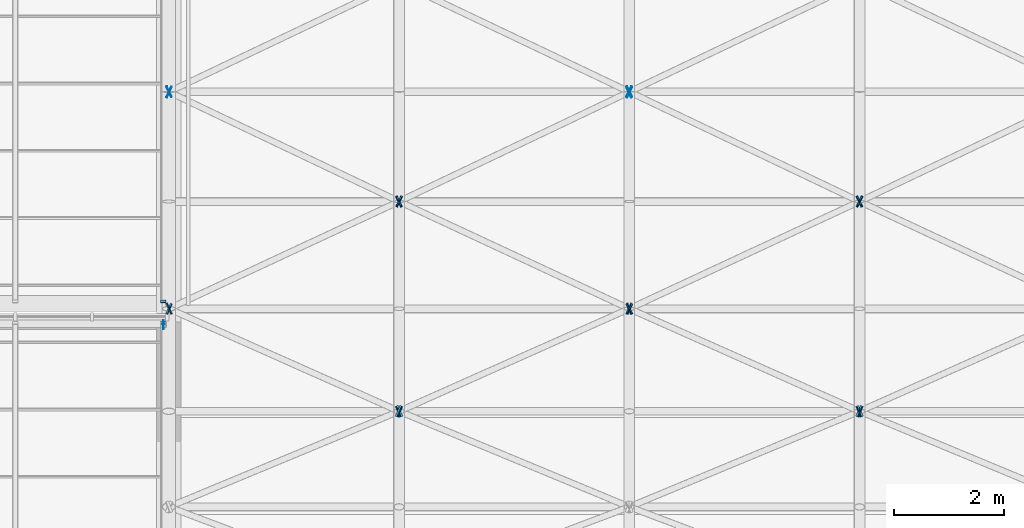
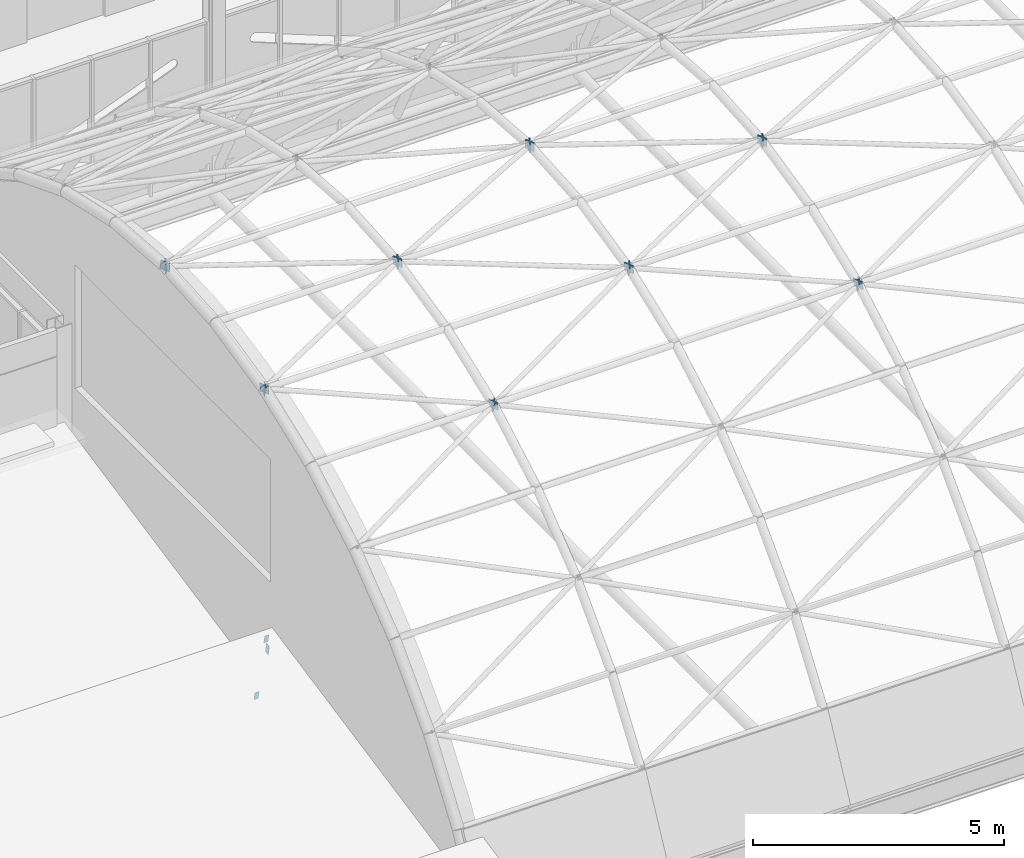
# One storey, part 106 of 121: 31 discrete accessories.
"""IFC4 building model written with IfcOpenShell, lengths in metres."""

from ifc_helpers import new_model, si_unit, direction, frame, origin, origin_2d, place, context, subcontext, project, spatial, rectangle, extrude, material, material_profile, profile_set, type_object, element, save


model = new_model("IFC4")

# Units and contexts
model_context = context("Model", 3, precision=1e-05, world=origin(), true_north=direction((0.0, 1.0)))
body_context = subcontext(model_context, "Body", "Model", "MODEL_VIEW")
ifc_project = project(units=[si_unit("LENGTHUNIT", "METRE"), si_unit("AREAUNIT", "SQUARE_METRE"), si_unit("VOLUMEUNIT", "CUBIC_METRE"), si_unit("PLANEANGLEUNIT", "RADIAN"), si_unit("MASSUNIT", "GRAM", prefix="KILO")], contexts=[model_context])

# Site, building, storey
site_placement = place(None, origin())
site = spatial("IfcSite", under=ifc_project, at=site_placement, CompositionType="ELEMENT")
building_placement = place(site_placement, origin())
building = spatial("IfcBuilding", under=site, at=building_placement, Name="Ardhachandra Cancer Care Centre", CompositionType="ELEMENT")
storey_placement = place(building_placement, frame((0.0, 0.0, 9.0)))
storey = spatial("IfcBuildingStorey", under=building, at=storey_placement, Name="L02", CompositionType="ELEMENT", Elevation=9.0)

# Discrete accessories
ifc_material_1 = material(Name="Steel E250 (IS 2062)", Category="steel")
ifc_material_profile_1 = material_profile(ifc_material_1, rectangle(XDim=0.21435546875, YDim=0.21435546875, at=origin_2d()), Name="PL 214x214x12")
ifc_profile_set_1 = profile_set([ifc_material_profile_1], Name="Steel E250 (IS 2062)")
discrete_accessory_type_1 = type_object("IfcDiscreteAccessoryType", Name="Diagonal end plate 214 x 214 x 12", PredefinedType="BRACKET", material=ifc_profile_set_1)
discrete_accessory_1_placement = place(storey_placement, frame((48.60009765625, 61.37353515625, 7.093994140625), z_axis=(-0.909322885136, -0.363729154054, -0.202071752252), x_axis=(0.371390676354, -0.928476690885, 0.0)))
element("IfcDiscreteAccessory", 1, at=discrete_accessory_1_placement, inside=storey, type_object=discrete_accessory_type_1, Name="Diagonal end plate Hall shell diagonal 00-04 2", PredefinedType="BRACKET", context=body_context, shape_type="SweptSolid", body=[
    extrude(rectangle(XDim=0.21435546875, YDim=0.21435546875, at=origin_2d()), origin(), (0.0, 0.0, 1.0), 0.011962890625),
])
for number, where, z_axis, x_axis, name in (
    (2, (48.60009765625, 61.37353515625, 7.093994140625), (-0.901986558051, 0.400882914689, 0.160353165876), (-0.406138466053, -0.91381154862, 0.0), "Diagonal end plate Hall shell diagonal 01-05 1"),
    (3, (44.39990234375, 63.244384765625, 7.814208984375), (0.904716823274, -0.4020963659, -0.140733728065), (0.406138466053, 0.91381154862, 0.0), "Diagonal end plate Hall shell diagonal 01-05 2"),
    (4, (44.39990234375, 63.244384765625, 7.814208984375), (0.901624387163, 0.420758047343, 0.100180487463), (-0.422885465331, 0.906183139995, 0.0), "Diagonal end plate Hall shell diagonal 00-06 1"),
    (5, (48.60009765625, 65.20068359375, 8.252685546875), (-0.903257601642, -0.421520214099, -0.08028956459), (0.422885465331, -0.906183139995, 0.0), "Diagonal end plate Hall shell diagonal 00-06 2"),
    (6, (48.60009765625, 65.20068359375, 8.252685546875), (-0.905449091159, 0.422542909207, 0.040242181829), (-0.422885465331, -0.906183139995, 0.0), "Diagonal end plate Hall shell diagonal 01-07 1"),
    (7, (44.39990234375, 67.199951171875, 8.39990234375), (0.905999460427, -0.422799748199, -0.020133321343), (0.422885465331, 0.906183139995, 0.0), "Diagonal end plate Hall shell diagonal 01-07 2"),
    (8, (44.39990234375, 67.199951171875, 8.39990234375), (0.905999460427, 0.422799748199, -0.020133321343), (-0.422885465331, 0.906183139995, 0.0), "Diagonal end plate Hall shell diagonal 00-08 1"),
):
    element("IfcDiscreteAccessory", number, at=place(storey_placement, frame(where, z_axis=z_axis, x_axis=x_axis)), inside=storey, type_object=discrete_accessory_type_1, Name=name, PredefinedType="BRACKET", context=body_context, shape_type="SweptSolid", body=[
        extrude(rectangle(XDim=0.21435546875, YDim=0.21435546875, at=origin_2d()), origin(), (0.0, 0.0, 1.0), 0.01220703125),
    ])
for number, where, z_axis, x_axis, name in (
    (9, (48.60009765625, 61.37353515625, 7.093994140625), (0.905725666552, -0.370524136317, -0.205846742398), (0.378632845721, 0.925546956206, 0.0), "Diagonal end plate Hall shell diagonal 02-04 2"),
    (10, (48.60009765625, 61.37353515625, 7.093994140625), (0.89814623902, 0.408248290464, 0.163299316186), (-0.413802944301, 0.910366477463, 0.0), "Diagonal end plate Hall shell diagonal 01-05 1"),
):
    element("IfcDiscreteAccessory", number, at=place(storey_placement, frame(where, z_axis=z_axis, x_axis=x_axis)), inside=storey, type_object=discrete_accessory_type_1, Name=name, PredefinedType="BRACKET", context=body_context, shape_type="SweptSolid", body=[
        extrude(rectangle(XDim=0.21435546875, YDim=0.21435546875, at=origin_2d()), origin(), (0.0, 0.0, 1.0), 0.011962890625),
    ])
for number, where, z_axis, x_axis, name in (
    (11, (52.800048828125, 63.244384765625, 7.814208984375), (-0.904716823274, -0.4020963659, -0.140733728065), (0.406138466053, -0.91381154862, 0.0), "Diagonal end plate Hall shell diagonal 01-05 2"),
    (12, (52.800048828125, 63.244384765625, 7.814208984375), (-0.901624387163, 0.420758047343, 0.100180487463), (-0.422885465331, -0.906183139995, 0.0), "Diagonal end plate Hall shell diagonal 02-06 1"),
):
    element("IfcDiscreteAccessory", number, at=place(storey_placement, frame(where, z_axis=z_axis, x_axis=x_axis)), inside=storey, type_object=discrete_accessory_type_1, Name=name, PredefinedType="BRACKET", context=body_context, shape_type="SweptSolid", body=[
        extrude(rectangle(XDim=0.21435546875, YDim=0.21435546875, at=origin_2d()), origin(), (0.0, 0.0, 1.0), 0.01220703125),
    ])
for number, where, z_axis, x_axis, name in (
    (13, (48.60009765625, 65.20068359375, 8.252685546875), (0.899458907781, -0.429287205986, -0.081768991616), (0.430729586215, 0.902481037784, 0.0), "Diagonal end plate Hall shell diagonal 02-06 2"),
    (14, (48.60009765625, 65.20068359375, 8.252685546875), (0.901722650223, 0.430367628516, 0.040987393192), (-0.430729586215, 0.902481037784, 0.0), "Diagonal end plate Hall shell diagonal 01-07 1"),
):
    element("IfcDiscreteAccessory", number, at=place(storey_placement, frame(where, z_axis=z_axis, x_axis=x_axis)), inside=storey, type_object=discrete_accessory_type_1, Name=name, PredefinedType="BRACKET", context=body_context, shape_type="SweptSolid", body=[
        extrude(rectangle(XDim=0.21435546875, YDim=0.21435546875, at=origin_2d()), origin(), (0.0, 0.0, 1.0), 0.011962890625),
    ])
for number, where, z_axis, x_axis, name in (
    (15, (52.800048828125, 67.199951171875, 8.39990234375), (-0.905999460427, -0.422799748199, -0.020133321343), (0.422885465331, -0.906183139995, 0.0), "Diagonal end plate Hall shell diagonal 01-07 2"),
    (16, (52.800048828125, 67.199951171875, 8.39990234375), (-0.905999460427, 0.422799748199, -0.020133321343), (-0.422885465331, -0.906183139995, 0.0), "Diagonal end plate Hall shell diagonal 02-08 1"),
):
    element("IfcDiscreteAccessory", number, at=place(storey_placement, frame(where, z_axis=z_axis, x_axis=x_axis)), inside=storey, type_object=discrete_accessory_type_1, Name=name, PredefinedType="BRACKET", context=body_context, shape_type="SweptSolid", body=[
        extrude(rectangle(XDim=0.21435546875, YDim=0.21435546875, at=origin_2d()), origin(), (0.0, 0.0, 1.0), 0.01220703125),
    ])
for number, where, z_axis, x_axis, name in (
    (17, (57.0, 61.37353515625, 7.093994140625), (-0.905725666552, -0.370524136317, -0.205846742398), (0.378632845721, -0.925546956206, 0.0), "Diagonal end plate Hall shell diagonal 02-04 2"),
    (18, (57.0, 61.37353515625, 7.093994140625), (-0.89814623902, 0.408248290464, 0.163299316186), (-0.413802944301, -0.910366477463, 0.0), "Diagonal end plate Hall shell diagonal 03-05 1"),
    (19, (52.800048828125, 63.244384765625, 7.814208984375), (0.900966171356, -0.409530077889, -0.143335527261), (0.413802944301, 0.910366477463, 0.0), "Diagonal end plate Hall shell diagonal 03-05 2"),
    (20, (52.800048828125, 63.244384765625, 7.814208984375), (0.897772245151, 0.428482207913, 0.102019573313), (-0.430729586215, 0.902481037784, 0.0), "Diagonal end plate Hall shell diagonal 02-06 1"),
    (21, (57.0, 65.20068359375, 8.252685546875), (-0.899458907781, -0.429287205986, -0.081768991616), (0.430729586215, -0.902481037784, 0.0), "Diagonal end plate Hall shell diagonal 02-06 2"),
    (22, (57.0, 65.20068359375, 8.252685546875), (-0.901722650223, 0.430367628516, 0.040987393192), (-0.430729586215, -0.902481037784, 0.0), "Diagonal end plate Hall shell diagonal 03-07 1"),
    (23, (52.800048828125, 67.199951171875, 8.39990234375), (0.902291261515, -0.430639011177, -0.02050661958), (0.430729586215, 0.902481037784, 0.0), "Diagonal end plate Hall shell diagonal 03-07 2"),
    (24, (52.800048828125, 67.199951171875, 8.39990234375), (0.902291261515, 0.430639011177, -0.02050661958), (-0.430729586215, 0.902481037784, 0.0), "Diagonal end plate Hall shell diagonal 02-08 1"),
    (25, (57.0, 61.37353515625, 7.093994140625), (0.905725666552, -0.370524136317, -0.205846742398), (0.378632845721, 0.925546956206, 0.0), "Diagonal end plate Hall shell diagonal 04-04 2"),
    (26, (57.0, 61.37353515625, 7.093994140625), (0.89814623902, 0.408248290464, 0.163299316186), (-0.413802944301, 0.910366477463, 0.0), "Diagonal end plate Hall shell diagonal 03-05 1"),
    (27, (57.0, 65.20068359375, 8.252685546875), (0.899458907781, -0.429287205986, -0.081768991616), (0.430729586215, 0.902481037784, 0.0), "Diagonal end plate Hall shell diagonal 04-06 2"),
    (28, (57.0, 65.20068359375, 8.252685546875), (0.901722650223, 0.430367628516, 0.040987393192), (-0.430729586215, 0.902481037784, 0.0), "Diagonal end plate Hall shell diagonal 03-07 1"),
):
    element("IfcDiscreteAccessory", number, at=place(storey_placement, frame(where, z_axis=z_axis, x_axis=x_axis)), inside=storey, type_object=discrete_accessory_type_1, Name=name, PredefinedType="BRACKET", context=body_context, shape_type="SweptSolid", body=[
        extrude(rectangle(XDim=0.21435546875, YDim=0.21435546875, at=origin_2d()), origin(), (0.0, 0.0, 1.0), 0.011962890625),
    ])
ifc_material_2 = material(Name="Galvanised flat steel (Steel E250 (IS 2062))", Category="steel")
ifc_material_profile_2 = material_profile(ifc_material_2, rectangle(XDim=0.10009765625, YDim=0.199951171875, at=origin_2d()), Name="Rafter end plate 200 x 100 x 8")
ifc_profile_set_2 = profile_set([ifc_material_profile_2], Name="Galvanised flat steel (Steel E250 (IS 2062))")
discrete_accessory_type_2 = type_object("IfcDiscreteAccessoryType", Name="Rafter end plate 200 x 100 x 8", PredefinedType="BRACKET", material=ifc_profile_set_2)
for number, where, z_axis, x_axis, name in (
    (29, (44.300048828125, 62.980224609375, 1.91796875), (0.0, 0.976900017396, 0.213696878805), (-1.0, 0.0, 0.0), "Rafter end plate T4a.13.2"),
    (30, (44.300048828125, 63.380126953125, 0.298095703125), (0.0, -0.976900017396, -0.213696878805), (1.0, 0.0, 0.0), "Rafter end plate T5a.10.1"),
):
    element("IfcDiscreteAccessory", number, at=place(storey_placement, frame(where, z_axis=z_axis, x_axis=x_axis)), inside=storey, type_object=discrete_accessory_type_2, Name=name, PredefinedType="BRACKET", context=body_context, shape_type="SweptSolid", body=[
        extrude(rectangle(XDim=0.10009765625, YDim=0.199951171875, at=origin_2d()), origin(), (0.0, 0.0, 1.0), 0.008056640625),
    ])
ifc_material_3 = material(Name="Galvanised flat steel (Steel E250 (IS 2062))", Category="steel")
ifc_material_profile_3 = material_profile(ifc_material_3, rectangle(XDim=0.1201171875, YDim=0.239990234375, at=origin_2d()), Name="Ridge beam end plate 240 x 120 x 8")
ifc_profile_set_3 = profile_set([ifc_material_profile_3], Name="Galvanised flat steel (Steel E250 (IS 2062))")
discrete_accessory_type_3 = type_object("IfcDiscreteAccessoryType", Name="Ridge beam end plate 240 x 120 x 8", PredefinedType="BRACKET", material=ifc_profile_set_3)
discrete_accessory_2_placement = place(storey_placement, frame((44.300048828125, 62.949951171875, 1.6875), z_axis=(1.0, 0.0, 0.0), x_axis=(0.0, 0.980106641092, 0.198471590126)))
element("IfcDiscreteAccessory", 31, at=discrete_accessory_2_placement, inside=storey, type_object=discrete_accessory_type_3, Name="Ridge beam end plate T4a.2", PredefinedType="BRACKET", context=body_context, shape_type="SweptSolid", body=[
    extrude(rectangle(XDim=0.1201171875, YDim=0.239990234375, at=origin_2d()), origin(), (0.0, 0.0, 1.0), 0.008056640625),
])

save(model, "model.ifc")
